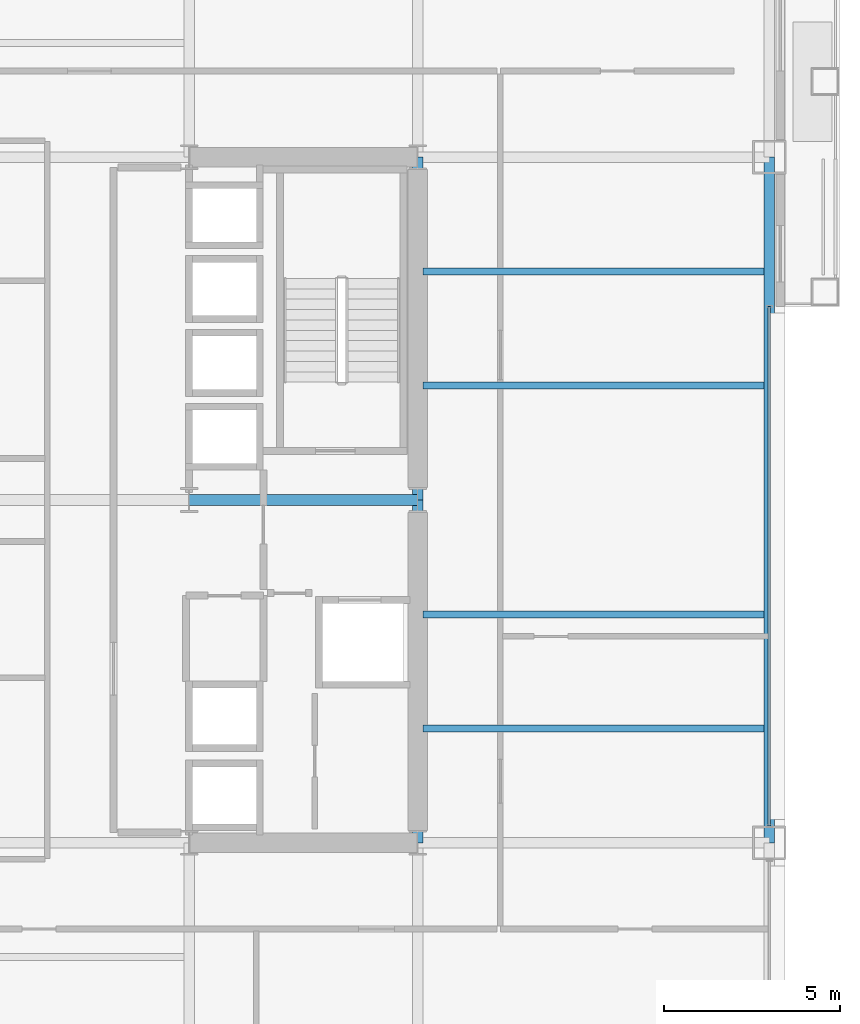
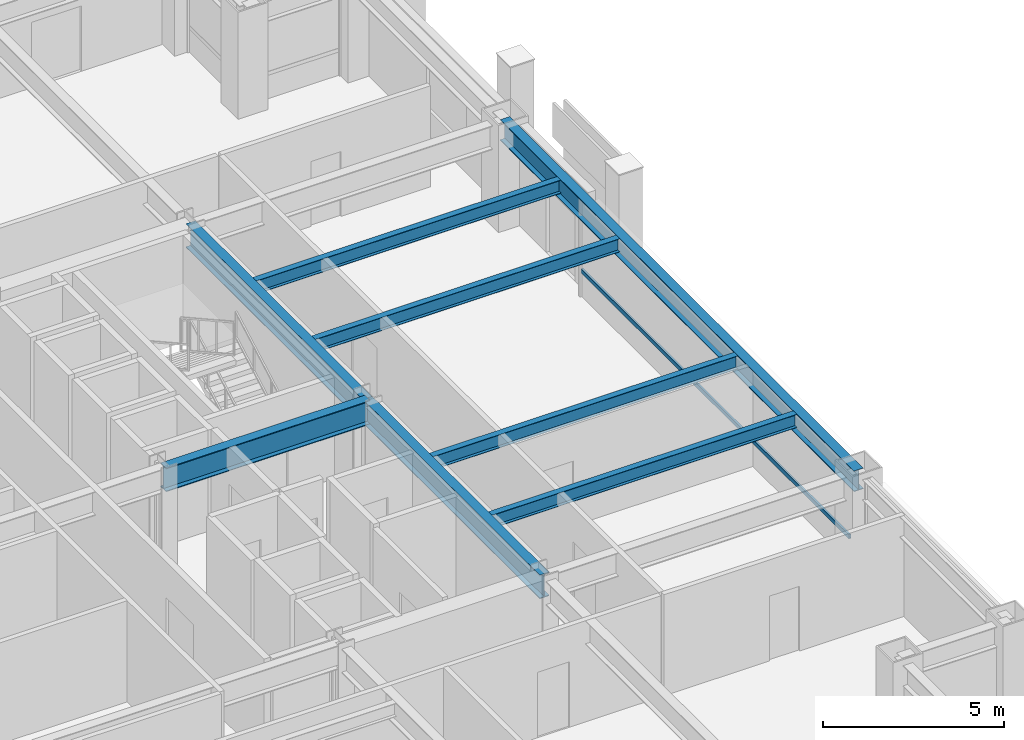
# One storey, part 13 of 31: 8 beams, 1 member, 1 element without a shape of its own.
"""IFC4 building model written with IfcOpenShell, lengths in metres."""

from ifc_helpers import new_model, si_unit, direction, frame, origin, origin_2d, place, context, subcontext, project, spatial, hollow_rectangle, i_section, extrude, material, layer, layer_set, material_profile, profile_set, type_object, element, aggregate, save


model = new_model("IFC4")

# Units and contexts
model_context = context("Model", 3, precision=1e-05, world=origin(), true_north=direction((0.0, 1.0)))
body_context = subcontext(model_context, "Body", "Model", "MODEL_VIEW")
ifc_project = project(units=[si_unit("LENGTHUNIT", "METRE"), si_unit("AREAUNIT", "SQUARE_METRE"), si_unit("VOLUMEUNIT", "CUBIC_METRE"), si_unit("PLANEANGLEUNIT", "RADIAN"), si_unit("MASSUNIT", "GRAM", prefix="KILO")], contexts=[model_context])

# Site, building, storey
site_placement = place(None, origin())
site = spatial("IfcSite", under=ifc_project, at=site_placement, CompositionType="ELEMENT")
building_placement = place(site_placement, origin())
building = spatial("IfcBuilding", under=site, at=building_placement, Name="Brelmoor Portico Tower", CompositionType="ELEMENT")
storey_placement = place(building_placement, frame((0.0, 0.0, 31.199951171875)))
storey = spatial("IfcBuildingStorey", under=building, at=storey_placement, Name="L07", CompositionType="ELEMENT", Elevation=31.199951171875)

# Beams
ifc_material_1 = material(Name="Steel Q355B", Category="steel")
ifc_material_profile_1 = material_profile(ifc_material_1, i_section(OverallWidth=0.199951171875, OverallDepth=0.449951171875, WebThickness=0.009033203125, FlangeThickness=0.013916015625, at=origin_2d()), Name="HN 450x200x9x14")
ifc_profile_set_1 = profile_set([ifc_material_profile_1], Name="Steel Q355B")
beam_type_1 = type_object("IfcBeamType", Name="BM-JS-450", PredefinedType="JOIST", material=ifc_profile_set_1)
for number, where, z_axis, x_axis, name in (
    (1, (14.699951171875, -6.5, 3.175048828125), (1.0, 0.0, 0.0), (0.0, 1.0, 0.0), "L07 Secondary Wing Joist JS-E09"),
    (2, (14.699951171875, -3.25, 3.175048828125), (1.0, 0.0, 0.0), (0.0, 1.0, 0.0), "L07 Secondary Wing Joist JS-E10"),
    (3, (14.699951171875, 3.25, 3.175048828125), (1.0, 0.0, 0.0), (0.0, 1.0, 0.0), "L07 Secondary Wing Joist JS-E11"),
    (4, (14.699951171875, 6.5, 3.175048828125), (1.0, 0.0, 0.0), (0.0, 1.0, 0.0), "L07 Secondary Wing Joist JS-E12"),
):
    element("IfcBeam", number, at=place(storey_placement, frame(where, z_axis=z_axis, x_axis=x_axis)), inside=storey, type_object=beam_type_1, Name=name, PredefinedType="JOIST", context=body_context, shape_type="SweptSolid", body=[
        extrude(i_section(OverallWidth=0.199951171875, OverallDepth=0.449951171875, WebThickness=0.009033203125, FlangeThickness=0.013916015625, at=origin_2d()), origin(), (0.0, 0.0, 1.0), 9.699951171875),
    ])
ifc_material_profile_2 = material_profile(ifc_material_1, i_section(OverallWidth=0.300048828125, OverallDepth=0.800048828125, WebThickness=0.013916015625, FlangeThickness=0.02587890625, at=origin_2d()), Name="HN 800x300x14x26")
ifc_profile_set_2 = profile_set([ifc_material_profile_2], Name="Steel Q355B")
beam_type_2 = type_object("IfcBeamType", Name="BM-PG-800", PredefinedType="BEAM", material=ifc_profile_set_2)
for number, where, z_axis, x_axis, name in (
    (5, (14.550048828125, -9.75, 3.0), (0.0, 1.0, 0.0), (-1.0, 0.0, 0.0), "L07 Primary Floor Girder PG-12"),
    (6, (14.550048828125, 0.0, 3.0), (0.0, 1.0, 0.0), (-1.0, 0.0, 0.0), "L07 Primary Floor Girder PG-13"),
):
    element("IfcBeam", number, at=place(storey_placement, frame(where, z_axis=z_axis, x_axis=x_axis)), inside=storey, type_object=beam_type_2, Name=name, PredefinedType="BEAM", context=body_context, shape_type="SweptSolid", body=[
        extrude(i_section(OverallWidth=0.300048828125, OverallDepth=0.800048828125, WebThickness=0.013916015625, FlangeThickness=0.02587890625, at=origin_2d()), origin(), (0.0, 0.0, 1.0), 9.75),
    ])
beam_1_placement = place(storey_placement, frame((8.050048828125, 0.0, 3.0), z_axis=(1.0, 0.0, 0.0), x_axis=(0.0, 1.0, 0.0)))
element("IfcBeam", 7, at=beam_1_placement, inside=storey, type_object=beam_type_2, Name="L07 Primary Floor Girder PG-26", PredefinedType="BEAM", context=body_context, shape_type="SweptSolid", body=[
    extrude(i_section(OverallWidth=0.300048828125, OverallDepth=0.800048828125, WebThickness=0.013916015625, FlangeThickness=0.02587890625, at=origin_2d()), origin(), (0.0, 0.0, 1.0), 6.5),
])
ifc_material_profile_3 = material_profile(ifc_material_1, i_section(OverallWidth=0.300048828125, OverallDepth=0.699951171875, WebThickness=0.012939453125, FlangeThickness=0.02392578125, at=origin_2d()), Name="HN 700x300x13x24")
ifc_profile_set_3 = profile_set([ifc_material_profile_3], Name="Steel Q355B")
beam_type_3 = type_object("IfcBeamType", Name="BM-SP-700", PredefinedType="SPANDREL", material=ifc_profile_set_3)
beam_2_placement = place(storey_placement, frame((24.550048828125, -9.75, 3.050048828125), z_axis=(0.0, 1.0, 0.0), x_axis=(-1.0, 0.0, 0.0)))
element("IfcBeam", 8, at=beam_2_placement, inside=storey, type_object=beam_type_3, Name="L07 Perimeter Spandrel Beam SP-23", PredefinedType="SPANDREL", context=body_context, shape_type="SweptSolid", body=[
    extrude(i_section(OverallWidth=0.300048828125, OverallDepth=0.699951171875, WebThickness=0.012939453125, FlangeThickness=0.02392578125, at=origin_2d()), origin(), (0.0, 0.0, 1.0), 19.5),
])

# Curtain wall, member
ifc_material_2 = material(Name="Anodised Aluminium Alloy 6063-T6", Category="aluminium")
ifc_layer = layer(ifc_material_2, 0.179931640625)
ifc_layer_set = layer_set([ifc_layer], Name="Anodised Aluminium Alloy 6063-T6")
curtain_wall_type = type_object("IfcCurtainWallType", Name="CW-TOWER-Z1", PredefinedType="NOTDEFINED", material=ifc_layer_set)
curtain_wall_placement = place(storey_placement, origin())
curtain_wall = element("IfcCurtainWall", 9, at=curtain_wall_placement, inside=storey, type_object=curtain_wall_type, Name="L07 Curtain Wall CW-L07-4L-2", PredefinedType="NOTDEFINED")
ifc_material_profile_4 = material_profile(ifc_material_2, hollow_rectangle(XDim=0.06494140625, YDim=0.139892578125, WallThickness=0.00390625, at=origin_2d()), Name="ALU TRANSOM 65x140")
ifc_profile_set_4 = profile_set([ifc_material_profile_4], Name="Anodised Aluminium Alloy 6063-T6")
member_type = type_object("IfcMemberType", Name="MB-CW-TRAN-140", PredefinedType="USERDEFINED", material=ifc_profile_set_4)
member_placement = place(storey_placement, frame((24.550048828125, -9.264892578125, 0.85009765625), z_axis=(0.0, 1.0, 0.0), x_axis=(-1.0, 0.0, 0.0)))
member = element("IfcMember", 10, at=member_placement, type_object=member_type, Name="CW-L07-4L-2 Transom 1-00", ObjectType="TRANSOM", PredefinedType="USERDEFINED", context=body_context, shape_type="SweptSolid", body=[
    extrude(hollow_rectangle(XDim=0.06494140625, YDim=0.139892578125, WallThickness=0.00390625, at=origin_2d()), origin(), (0.0, 0.0, 1.0), 14.764892578125),
])
aggregate(curtain_wall, [member])

save(model, "model.ifc")
